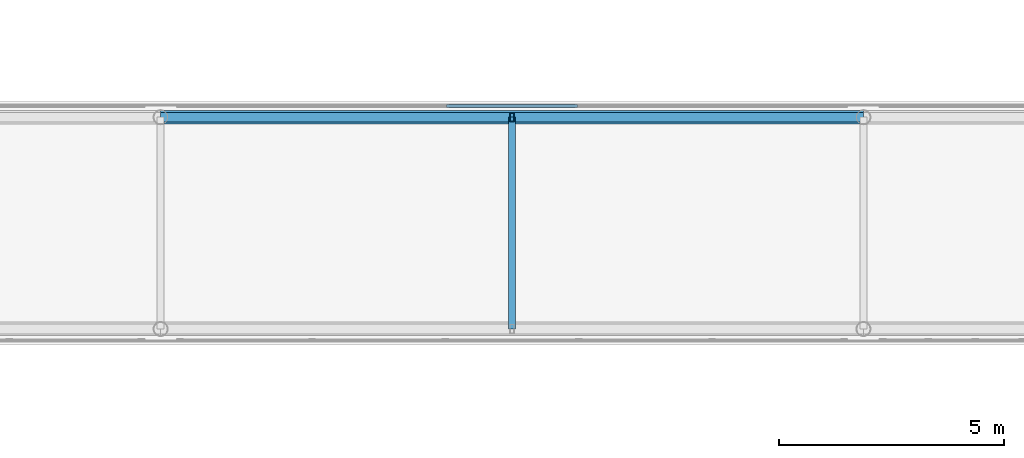
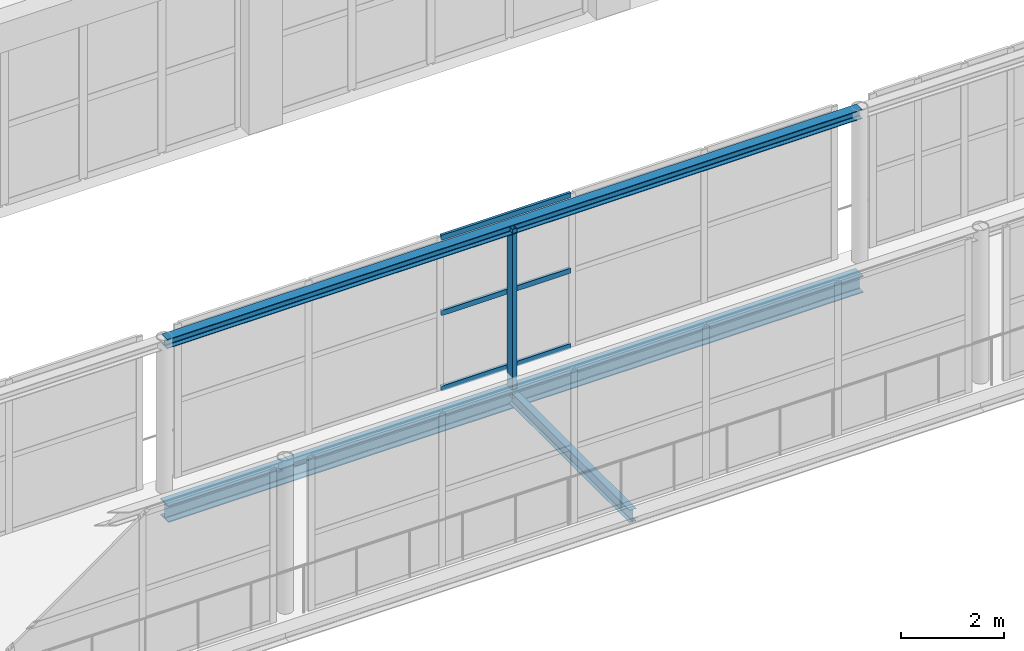
# One storey, part 77 of 167: 5 members, 2 beams, 1 element without a shape of its own.
"""IFC4 building model written with IfcOpenShell, lengths in metres."""

from ifc_helpers import new_model, si_unit, direction, frame, origin, origin_2d, place, context, subcontext, project, spatial, hollow_rectangle, i_section, extrude, material, layer, layer_set, material_profile, profile_set, type_object, element, aggregate, save


model = new_model("IFC4")

# Units and contexts
model_context = context("Model", 3, precision=1e-05, world=origin(), true_north=direction((0.0, 1.0)))
body_context = subcontext(model_context, "Body", "Model", "MODEL_VIEW")
ifc_project = project(units=[si_unit("LENGTHUNIT", "METRE"), si_unit("AREAUNIT", "SQUARE_METRE"), si_unit("VOLUMEUNIT", "CUBIC_METRE"), si_unit("PLANEANGLEUNIT", "RADIAN"), si_unit("MASSUNIT", "GRAM", prefix="KILO")], contexts=[model_context])

# Site, building, storey
site_placement = place(None, origin())
site = spatial("IfcSite", under=ifc_project, at=site_placement, CompositionType="ELEMENT")
building_placement = place(site_placement, origin())
building = spatial("IfcBuilding", under=site, at=building_placement, Name="Zizhar Promenade General Hospital", CompositionType="ELEMENT")
storey_placement = place(building_placement, frame((0.0, 0.0, 9.60009765625)))
storey = spatial("IfcBuildingStorey", under=building, at=storey_placement, Name="L02", CompositionType="ELEMENT", Elevation=9.60009765625)

# Beams
ifc_material_1 = material(Name="Steel S355", Category="steel")
ifc_material_profile_1 = material_profile(ifc_material_1, i_section(OverallWidth=0.300048828125, OverallDepth=0.39990234375, WebThickness=0.013427734375, FlangeThickness=0.02392578125, FilletRadius=0.027099609375, at=origin_2d()))
ifc_profile_set_1 = profile_set([ifc_material_profile_1], Name="Steel S355")
beam_type_1 = type_object("IfcBeamType", Name="BM-STL-HEB400", PredefinedType="BEAM", material=ifc_profile_set_1)
beam_1_placement = place(storey_placement, frame((101.39990234375, 82.449951171875, -0.5), z_axis=(1.0, 0.0, 0.0), x_axis=(0.0, 1.0, 0.0)))
element("IfcBeam", 1, at=beam_1_placement, inside=storey, type_object=beam_type_1, Name="SB-2 Bottom Chord 3N", PredefinedType="BEAM", context=body_context, shape_type="SweptSolid", body=[
    extrude(i_section(OverallWidth=0.300048828125, OverallDepth=0.39990234375, WebThickness=0.013427734375, FlangeThickness=0.02392578125, FilletRadius=0.027099609375, at=origin_2d()), origin(), (0.0, 0.0, 1.0), 15.60009765625),
])
ifc_material_2 = material(Name="Steel S355", Category="steel")
ifc_material_profile_2 = material_profile(ifc_material_2, i_section(OverallWidth=0.14990234375, OverallDepth=0.300048828125, WebThickness=0.007080078125, FlangeThickness=0.0107421875, FilletRadius=0.014892578125, at=origin_2d()))
ifc_profile_set_2 = profile_set([ifc_material_profile_2], Name="Steel S355")
beam_type_2 = type_object("IfcBeamType", Name="BM-STL-IPE300", PredefinedType="JOIST", material=ifc_profile_set_2)
beam_2_placement = place(storey_placement, frame((109.199951171875, 77.75, -0.5), z_axis=(0.0, 1.0, 0.0), x_axis=(-1.0, 0.0, 0.0)))
element("IfcBeam", 2, at=beam_2_placement, inside=storey, type_object=beam_type_2, Name="SB-2 Transverse Deck Beam 109.2", PredefinedType="JOIST", context=body_context, shape_type="SweptSolid", body=[
    extrude(i_section(OverallWidth=0.14990234375, OverallDepth=0.300048828125, WebThickness=0.007080078125, FlangeThickness=0.0107421875, FilletRadius=0.014892578125, at=origin_2d()), origin(), (0.0, 0.0, 1.0), 4.699951171875),
])

# Curtain wall, members
ifc_material_3 = material(Name="Anodised aluminium 6063-T6 and low-E glass", Category="aluminium")
ifc_layer = layer(ifc_material_3, 0.159912109375)
ifc_layer_set = layer_set([ifc_layer], Name="Anodised aluminium 6063-T6 and low-E glass")
curtain_wall_type = type_object("IfcCurtainWallType", Name="CW-SKY-GLZ", PredefinedType="NOTDEFINED", material=ifc_layer_set)
curtain_wall_placement = place(storey_placement, origin())
curtain_wall = element("IfcCurtainWall", 3, at=curtain_wall_placement, inside=storey, type_object=curtain_wall_type, Name="Courtyard Surgical-Clinic Skybridge Level L02 North Glazing 3", PredefinedType="NOTDEFINED")
ifc_material_4 = material(Name="Anodised aluminium 6063-T6", Category="aluminium")
ifc_material_profile_3 = material_profile(ifc_material_4, hollow_rectangle(XDim=0.06005859375, YDim=0.1201171875, WallThickness=0.00390625, at=origin_2d()))
ifc_profile_set_3 = profile_set([ifc_material_profile_3], Name="Anodised aluminium 6063-T6")
member_type_1 = type_object("IfcMemberType", Name="CWT-ALU-120x60", PredefinedType="USERDEFINED", material=ifc_profile_set_3)
member_1_placement = place(storey_placement, frame((107.75, 82.699951171875, 0.02978515625), z_axis=(1.0, 0.0, 0.0), x_axis=(0.0, 1.0, 0.0)))
member_1 = element("IfcMember", 4, at=member_1_placement, type_object=member_type_1, Name="CW-15 transom 3.1", ObjectType="TRANSOM", PredefinedType="USERDEFINED", context=body_context, shape_type="SweptSolid", body=[
    extrude(hollow_rectangle(XDim=0.06005859375, YDim=0.1201171875, WallThickness=0.00390625, at=origin_2d()), origin(), (0.0, 0.0, 1.0), 2.89990234375),
])
member_2_placement = place(storey_placement, frame((107.75, 82.699951171875, 1.81982421875), z_axis=(1.0, 0.0, 0.0), x_axis=(0.0, 1.0, 0.0)))
member_2 = element("IfcMember", 5, at=member_2_placement, type_object=member_type_1, Name="CW-15 transom 3.2", ObjectType="TRANSOM", PredefinedType="USERDEFINED", context=body_context, shape_type="SweptSolid", body=[
    extrude(hollow_rectangle(XDim=0.06005859375, YDim=0.1201171875, WallThickness=0.00390625, at=origin_2d()), origin(), (0.0, 0.0, 1.0), 2.89990234375),
])
member_3_placement = place(storey_placement, frame((107.75, 82.699951171875, 3.60986328125), z_axis=(1.0, 0.0, 0.0), x_axis=(0.0, 1.0, 0.0)))
member_3 = element("IfcMember", 6, at=member_3_placement, type_object=member_type_1, Name="CW-15 transom 3.3", ObjectType="TRANSOM", PredefinedType="USERDEFINED", context=body_context, shape_type="SweptSolid", body=[
    extrude(hollow_rectangle(XDim=0.06005859375, YDim=0.1201171875, WallThickness=0.00390625, at=origin_2d()), origin(), (0.0, 0.0, 1.0), 2.89990234375),
])
aggregate(curtain_wall, [member_1, member_2, member_3])

# Members
ifc_material_5 = material(Name="Steel S355", Category="steel")
ifc_material_profile_4 = material_profile(ifc_material_5, i_section(OverallWidth=0.219970703125, OverallDepth=0.219970703125, WebThickness=0.009521484375, FlangeThickness=0.01611328125, FilletRadius=0.01806640625, at=origin_2d()))
ifc_profile_set_4 = profile_set([ifc_material_profile_4], Name="Steel S355")
member_type_2 = type_object("IfcMemberType", Name="MEM-CHORD-HEB220", PredefinedType="CHORD", material=ifc_profile_set_4)
member_4_placement = place(storey_placement, frame((101.39990234375, 82.449951171875, 3.510009765625), z_axis=(1.0, 0.0, 0.0), x_axis=(0.0, 1.0, 0.0)))
element("IfcMember", 7, at=member_4_placement, inside=storey, type_object=member_type_2, Name="SB-2 Top Chord 3N", PredefinedType="CHORD", context=body_context, shape_type="SweptSolid", body=[
    extrude(i_section(OverallWidth=0.219970703125, OverallDepth=0.219970703125, WebThickness=0.009521484375, FlangeThickness=0.01611328125, FilletRadius=0.01806640625, at=origin_2d()), origin(), (0.0, 0.0, 1.0), 15.60009765625),
])
ifc_material_6 = material(Name="Steel S355", Category="steel")
ifc_material_profile_5 = material_profile(ifc_material_6, hollow_rectangle(XDim=0.10009765625, YDim=0.199951171875, WallThickness=0.008056640625, at=origin_2d()))
ifc_profile_set_5 = profile_set([ifc_material_profile_5], Name="Steel S355")
member_type_3 = type_object("IfcMemberType", Name="MEM-STRUT-RHS200", PredefinedType="STRUT", material=ifc_profile_set_5)
member_5_placement = place(storey_placement, frame((109.199951171875, 82.449951171875, -0.5), z_axis=(0.0, 0.0, 1.0), x_axis=(1.0, 0.0, 0.0)))
element("IfcMember", 8, at=member_5_placement, inside=storey, type_object=member_type_3, Name="SB-2 Vierendeel Post 3N", PredefinedType="STRUT", context=body_context, shape_type="SweptSolid", body=[
    extrude(hollow_rectangle(XDim=0.10009765625, YDim=0.199951171875, WallThickness=0.008056640625, at=origin_2d()), origin(), (0.0, 0.0, 1.0), 4.010009765625),
])

save(model, "model.ifc")
